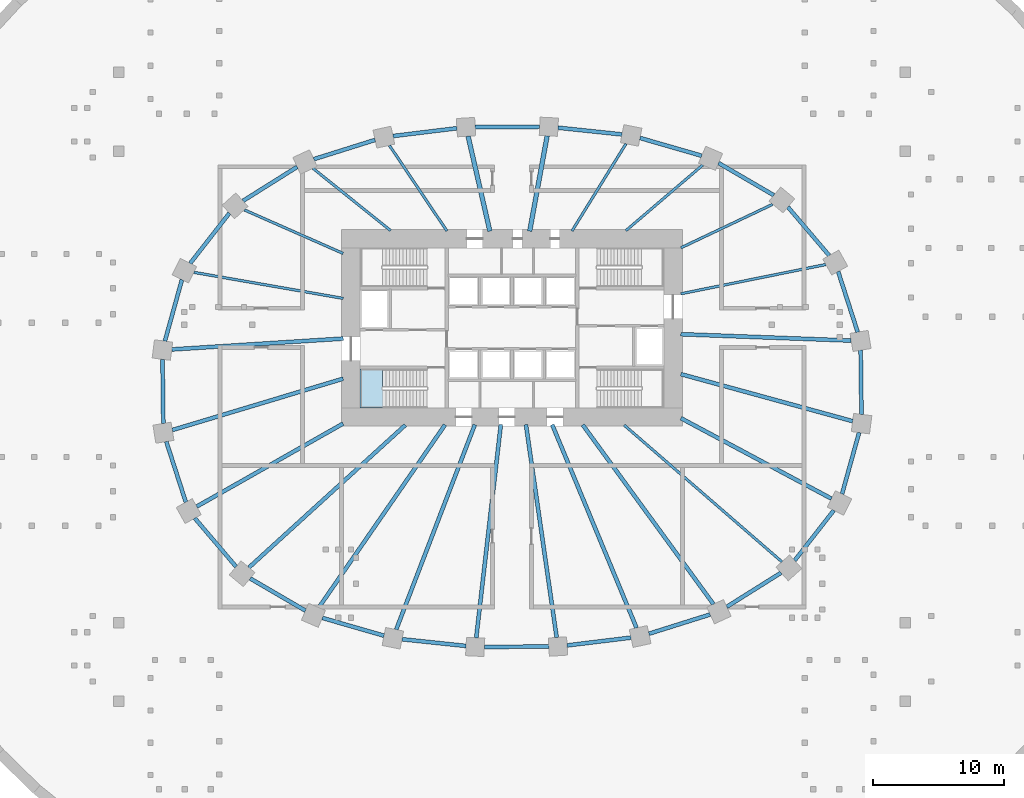
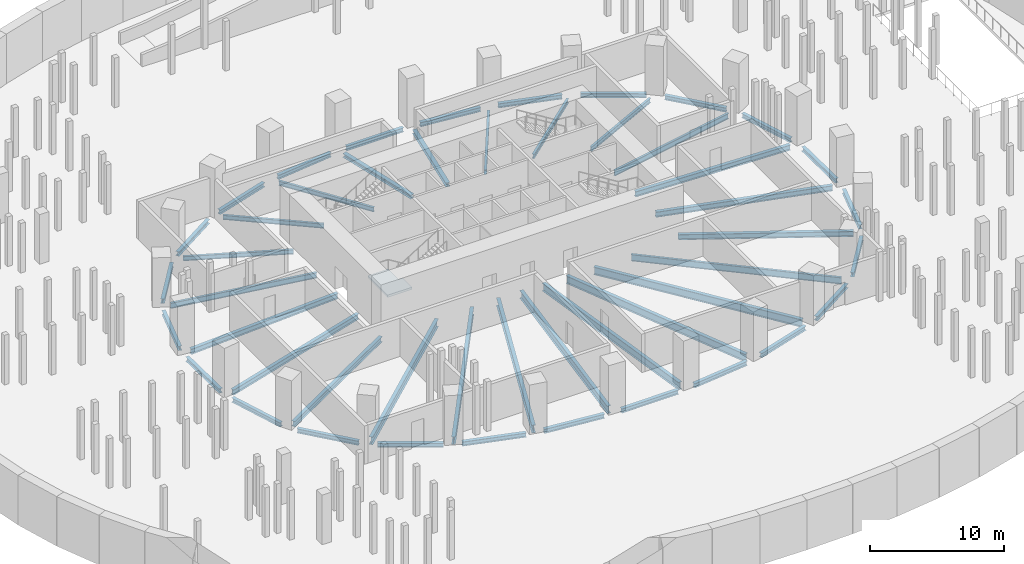
# One storey, part 2 of 9: 48 beams, 1 slab, 1 element without a shape of its own.
"""IFC4 building model written with IfcOpenShell, lengths in metres."""

from ifc_helpers import new_model, si_unit, direction, frame, origin, origin_2d, place, context, subcontext, project, spatial, polyline, i_section, outline, extrude, material, layer, layer_set, material_profile, profile_set, type_object, element, aggregate, save


model = new_model("IFC4")

# Units and contexts
model_context = context("Model", 3, precision=1e-05, world=origin(), true_north=direction((0.0, 1.0)))
body_context = subcontext(model_context, "Body", "Model", "MODEL_VIEW")
ifc_project = project(units=[si_unit("LENGTHUNIT", "METRE"), si_unit("AREAUNIT", "SQUARE_METRE"), si_unit("VOLUMEUNIT", "CUBIC_METRE"), si_unit("PLANEANGLEUNIT", "RADIAN"), si_unit("MASSUNIT", "GRAM", prefix="KILO")], contexts=[model_context])

# Site, building, storey
site_placement = place(None, origin())
site = spatial("IfcSite", under=ifc_project, at=site_placement, CompositionType="ELEMENT")
building_placement = place(site_placement, origin())
building = spatial("IfcBuilding", under=site, at=building_placement, Name="Rubra Terraces Tower", CompositionType="ELEMENT")
storey_placement = place(building_placement, frame((0.0, 0.0, -10.5)))
storey = spatial("IfcBuildingStorey", under=building, at=storey_placement, Name="B2", CompositionType="ELEMENT", Elevation=-10.5)

# Beams
ifc_material_1 = material(Name="Steel Q355B", Category="steel")
ifc_material_profile_1 = material_profile(ifc_material_1, i_section(OverallWidth=0.300048828125, OverallDepth=0.48193359375, WebThickness=0.010986328125, FlangeThickness=0.014892578125, at=origin_2d()), Name="HM 482x300x11x15")
ifc_profile_set_1 = profile_set([ifc_material_profile_1], Name="Steel Q355B")
beam_type_1 = type_object("IfcBeamType", Name="FLOOR BEAM HM 482x300x11x15", PredefinedType="BEAM", material=ifc_profile_set_1)
beam_1_placement = place(storey_placement, frame((25.89111328125, 3.530029296875, -0.490966796875), z_axis=(-0.999300088658, 0.037407657088, 0.0), x_axis=(-0.037407657088, -0.999300088658, 0.0)))
element("IfcBeam", 1, at=beam_1_placement, inside=storey, type_object=beam_type_1, Name="beam-B2-floor-01", PredefinedType="BEAM", context=body_context, shape_type="SweptSolid", body=[
    extrude(i_section(OverallWidth=0.300048828125, OverallDepth=0.48193359375, WebThickness=0.010986328125, FlangeThickness=0.014892578125, at=origin_2d()), origin(), (0.0, 0.0, 1.0), 13.020263671875),
])
beam_2_placement = place(storey_placement, frame((-25.971923828125, 2.85302734375, -0.490966796875), z_axis=(0.997996052936, 0.06327620662, 0.0), x_axis=(-0.06327620662, 0.997996052936, 0.0)))
element("IfcBeam", 2, at=beam_2_placement, inside=storey, type_object=beam_type_1, Name="beam-B2-floor-12", PredefinedType="BEAM", context=body_context, shape_type="SweptSolid", body=[
    extrude(i_section(OverallWidth=0.300048828125, OverallDepth=0.48193359375, WebThickness=0.010986328125, FlangeThickness=0.014892578125, at=origin_2d()), origin(), (0.0, 0.0, 1.0), 13.118408203125),
])
beam_3_placement = place(storey_placement, frame((-25.928955078125, -3.300048828125, -0.490966796875), z_axis=(0.957605991861, 0.288081176671, 0.0), x_axis=(-0.288081176671, 0.957605991861, 0.0)))
element("IfcBeam", 3, at=beam_3_placement, inside=storey, type_object=beam_type_1, Name="beam-B2-floor-13", PredefinedType="BEAM", context=body_context, shape_type="SweptSolid", body=[
    extrude(i_section(OverallWidth=0.300048828125, OverallDepth=0.48193359375, WebThickness=0.010986328125, FlangeThickness=0.014892578125, at=origin_2d()), origin(), (0.0, 0.0, 1.0), 13.621337890625),
])
beam_4_placement = place(storey_placement, frame((-24.06689453125, -9.137939453125, -0.490966796875), z_axis=(0.869992824144, 0.493064383157, 0.0), x_axis=(-0.493064383157, 0.869992824144, 0.0)))
element("IfcBeam", 4, at=beam_4_placement, inside=storey, type_object=beam_type_1, Name="beam-B2-floor-14", PredefinedType="BEAM", context=body_context, shape_type="SweptSolid", body=[
    extrude(i_section(OverallWidth=0.300048828125, OverallDepth=0.48193359375, WebThickness=0.010986328125, FlangeThickness=0.014892578125, at=origin_2d()), origin(), (0.0, 0.0, 1.0), 12.84033203125),
])
beam_5_placement = place(storey_placement, frame((24.385009765625, -8.535888671875, -0.490966796875), z_axis=(-0.881896613876, 0.471442851716, 0.0), x_axis=(-0.471442851716, -0.881896613876, 0.0)))
element("IfcBeam", 5, at=beam_5_placement, inside=storey, type_object=beam_type_1, Name="beam-B2-floor-23", PredefinedType="BEAM", context=body_context, shape_type="SweptSolid", body=[
    extrude(i_section(OverallWidth=0.300048828125, OverallDepth=0.48193359375, WebThickness=0.010986328125, FlangeThickness=0.014892578125, at=origin_2d()), origin(), (0.0, 0.0, 1.0), 13.02978515625),
])
beam_6_placement = place(storey_placement, frame((26.001953125, -2.62109375, -0.490966796875), z_axis=(-0.964494059772, 0.264104541167, 0.0), x_axis=(-0.264104541167, -0.964494059772, 0.0)))
element("IfcBeam", 6, at=beam_6_placement, inside=storey, type_object=beam_type_1, Name="beam-B2-floor-24", PredefinedType="BEAM", context=body_context, shape_type="SweptSolid", body=[
    extrude(i_section(OverallWidth=0.300048828125, OverallDepth=0.48193359375, WebThickness=0.010986328125, FlangeThickness=0.014892578125, at=origin_2d()), origin(), (0.0, 0.0, 1.0), 13.600830078125),
])
ifc_material_profile_2 = material_profile(ifc_material_1, i_section(OverallWidth=0.199951171875, OverallDepth=0.39990234375, WebThickness=0.008056640625, FlangeThickness=0.012939453125, at=origin_2d()), Name="HN 400x200x8x13")
ifc_profile_set_2 = profile_set([ifc_material_profile_2], Name="Steel Q355B")
beam_type_2 = type_object("IfcBeamType", Name="FLOOR BEAM HN 400x200x8x13", PredefinedType="BEAM", material=ifc_profile_set_2)
beam_7_placement = place(storey_placement, frame((19.904052734375, 13.93603515625, -0.449951171875), z_axis=(-0.903612237836, -0.428351402045, 0.0), x_axis=(0.428351402045, -0.903612237836, 0.0)))
element("IfcBeam", 7, at=beam_7_placement, inside=storey, type_object=beam_type_2, Name="beam-B2-floor-03", PredefinedType="BEAM", context=body_context, shape_type="SweptSolid", body=[
    extrude(i_section(OverallWidth=0.199951171875, OverallDepth=0.39990234375, WebThickness=0.008056640625, FlangeThickness=0.012939453125, at=origin_2d()), origin(), (0.0, 0.0, 1.0), 7.760009765625),
])
beam_8_placement = place(storey_placement, frame((14.56298828125, 16.93408203125, -0.449951171875), z_axis=(-0.760494401061, -0.649344489431, 0.0), x_axis=(0.649344489431, -0.760494401061, 0.0)))
element("IfcBeam", 8, at=beam_8_placement, inside=storey, type_object=beam_type_2, Name="beam-B2-floor-04", PredefinedType="BEAM", context=body_context, shape_type="SweptSolid", body=[
    extrude(i_section(OverallWidth=0.199951171875, OverallDepth=0.39990234375, WebThickness=0.008056640625, FlangeThickness=0.012939453125, at=origin_2d()), origin(), (0.0, 0.0, 1.0), 7.718505859375),
])
beam_9_placement = place(storey_placement, frame((8.699951171875, 18.555908203125, -0.449951171875), z_axis=(-0.526285914839, -0.850307671283, 0.0), x_axis=(0.850307671283, -0.526285914839, 0.0)))
element("IfcBeam", 9, at=beam_9_placement, inside=storey, type_object=beam_type_2, Name="beam-B2-floor-05", PredefinedType="BEAM", context=body_context, shape_type="SweptSolid", body=[
    extrude(i_section(OverallWidth=0.199951171875, OverallDepth=0.39990234375, WebThickness=0.008056640625, FlangeThickness=0.012939453125, at=origin_2d()), origin(), (0.0, 0.0, 1.0), 7.830078125),
])
beam_10_placement = place(storey_placement, frame((-9.360107421875, 18.43310546875, -0.449951171875), z_axis=(0.557574689395, -0.830126776912, 0.0), x_axis=(0.830126776912, 0.557574689395, 0.0)))
element("IfcBeam", 10, at=beam_10_placement, inside=storey, type_object=beam_type_2, Name="beam-B2-floor-08", PredefinedType="BEAM", context=body_context, shape_type="SweptSolid", body=[
    extrude(i_section(OverallWidth=0.199951171875, OverallDepth=0.39990234375, WebThickness=0.008056640625, FlangeThickness=0.012939453125, at=origin_2d()), origin(), (0.0, 0.0, 1.0), 7.8701171875),
])
beam_11_placement = place(storey_placement, frame((-15.18896484375, 16.676025390625, -0.449951171875), z_axis=(0.780266406942, -0.625447307291, 0.0), x_axis=(0.625447307291, 0.780266406942, 0.0)))
element("IfcBeam", 11, at=beam_11_placement, inside=storey, type_object=beam_type_2, Name="beam-B2-floor-09", PredefinedType="BEAM", context=body_context, shape_type="SweptSolid", body=[
    extrude(i_section(OverallWidth=0.199951171875, OverallDepth=0.39990234375, WebThickness=0.008056640625, FlangeThickness=0.012939453125, at=origin_2d()), origin(), (0.0, 0.0, 1.0), 7.59619140625),
])
beam_12_placement = place(storey_placement, frame((-20.43310546875, 13.508056640625, -0.449951171875), z_axis=(0.914994662209, -0.4034659442, 0.0), x_axis=(0.4034659442, 0.914994662209, 0.0)))
element("IfcBeam", 12, at=beam_12_placement, inside=storey, type_object=beam_type_2, Name="beam-B2-floor-10", PredefinedType="BEAM", context=body_context, shape_type="SweptSolid", body=[
    extrude(i_section(OverallWidth=0.199951171875, OverallDepth=0.39990234375, WebThickness=0.008056640625, FlangeThickness=0.012939453125, at=origin_2d()), origin(), (0.0, 0.0, 1.0), 8.243896484375),
])
ifc_material_profile_3 = material_profile(ifc_material_1, i_section(OverallWidth=0.198974609375, OverallDepth=0.49609375, WebThickness=0.009033203125, FlangeThickness=0.013916015625, at=origin_2d()), Name="HN 496x199x9x14")
ifc_profile_set_3 = profile_set([ifc_material_profile_3], Name="Steel Q355B")
beam_type_3 = type_object("IfcBeamType", Name="FLOOR BEAM HN 496x199x9x14", PredefinedType="BEAM", material=ifc_profile_set_3)
beam_13_placement = place(storey_placement, frame((23.9560546875, 9.337890625, -0.498046875), z_axis=(-0.980204035637, -0.197990021264, 0.0), x_axis=(0.197990021264, -0.980204035637, 0.0)))
element("IfcBeam", 13, at=beam_13_placement, inside=storey, type_object=beam_type_3, Name="beam-B2-floor-02", PredefinedType="BEAM", context=body_context, shape_type="SweptSolid", body=[
    extrude(i_section(OverallWidth=0.198974609375, OverallDepth=0.49609375, WebThickness=0.009033203125, FlangeThickness=0.013916015625, at=origin_2d()), origin(), (0.0, 0.0, 1.0), 11.297607421875),
])
beam_14_placement = place(storey_placement, frame((-24.282958984375, 8.739990234375, -0.498046875), z_axis=(0.985091834527, -0.172029292701, 0.0), x_axis=(0.172029292701, 0.985091834527, 0.0)))
element("IfcBeam", 14, at=beam_14_placement, inside=storey, type_object=beam_type_3, Name="beam-B2-floor-11", PredefinedType="BEAM", context=body_context, shape_type="SweptSolid", body=[
    extrude(i_section(OverallWidth=0.198974609375, OverallDepth=0.49609375, WebThickness=0.009033203125, FlangeThickness=0.013916015625, at=origin_2d()), origin(), (0.0, 0.0, 1.0), 11.573486328125),
])
ifc_material_profile_4 = material_profile(ifc_material_1, i_section(OverallWidth=0.198974609375, OverallDepth=0.595947265625, WebThickness=0.010009765625, FlangeThickness=0.014892578125, at=origin_2d()), Name="HN 596x199x10x15")
ifc_profile_set_4 = profile_set([ifc_material_profile_4], Name="Steel Q355B")
beam_type_4 = type_object("IfcBeamType", Name="FLOOR BEAM HN 596x199x10x15", PredefinedType="BEAM", material=ifc_profile_set_4)
beam_15_placement = place(storey_placement, frame((20.60205078125, -13.35498046875, -0.548095703125), z_axis=(-0.755682003913, 0.654938706263, 0.0), x_axis=(-0.654938706263, -0.755682003913, 0.0)))
element("IfcBeam", 15, at=beam_15_placement, inside=storey, type_object=beam_type_4, Name="beam-B2-floor-22", PredefinedType="BEAM", context=body_context, shape_type="SweptSolid", body=[
    extrude(i_section(OverallWidth=0.198974609375, OverallDepth=0.595947265625, WebThickness=0.010009765625, FlangeThickness=0.014892578125, at=origin_2d()), origin(), (0.0, 0.0, 1.0), 15.931396484375),
])
ifc_material_profile_5 = material_profile(ifc_material_1, i_section(OverallWidth=0.300048828125, OverallDepth=0.699951171875, WebThickness=0.012939453125, FlangeThickness=0.02392578125, at=origin_2d()), Name="HN 700x300x13x24")
ifc_profile_set_5 = profile_set([ifc_material_profile_5], Name="Steel Q355B")
beam_type_5 = type_object("IfcBeamType", Name="FLOOR BEAM HN 700x300x13x24", PredefinedType="BEAM", material=ifc_profile_set_5)
beam_16_placement = place(storey_placement, frame((-20.077880859375, -13.7900390625, -0.60009765625), z_axis=(0.739256734846, 0.673423700195, 0.0), x_axis=(-0.673423700195, 0.739256734846, 0.0)))
element("IfcBeam", 16, at=beam_16_placement, inside=storey, type_object=beam_type_5, Name="beam-B2-floor-15", PredefinedType="BEAM", context=body_context, shape_type="SweptSolid", body=[
    extrude(i_section(OverallWidth=0.300048828125, OverallDepth=0.699951171875, WebThickness=0.012939453125, FlangeThickness=0.02392578125, at=origin_2d()), origin(), (0.0, 0.0, 1.0), 16.14306640625),
])
beam_17_placement = place(storey_placement, frame((-14.7509765625, -16.85302734375, -0.60009765625), z_axis=(0.568362941886, 0.822777956858, 0.0), x_axis=(-0.822777956858, 0.568362941886, 0.0)))
element("IfcBeam", 17, at=beam_17_placement, inside=storey, type_object=beam_type_5, Name="beam-B2-floor-16", PredefinedType="BEAM", context=body_context, shape_type="SweptSolid", body=[
    extrude(i_section(OverallWidth=0.300048828125, OverallDepth=0.699951171875, WebThickness=0.012939453125, FlangeThickness=0.02392578125, at=origin_2d()), origin(), (0.0, 0.0, 1.0), 16.957275390625),
])
beam_18_placement = place(storey_placement, frame((-8.839111328125, -18.529052734375, -0.60009765625), z_axis=(0.358321803184, 0.933598139117, 0.0), x_axis=(-0.933598139117, 0.358321803184, 0.0)))
element("IfcBeam", 18, at=beam_18_placement, inside=storey, type_object=beam_type_5, Name="beam-B2-floor-17", PredefinedType="BEAM", context=body_context, shape_type="SweptSolid", body=[
    extrude(i_section(OverallWidth=0.300048828125, OverallDepth=0.699951171875, WebThickness=0.012939453125, FlangeThickness=0.02392578125, at=origin_2d()), origin(), (0.0, 0.0, 1.0), 16.753662109375),
])
beam_19_placement = place(storey_placement, frame((-2.73095703125, -19.156982421875, -0.60009765625), z_axis=(0.114679535872, 0.993402538779, 0.0), x_axis=(-0.993402538779, 0.114679535872, 0.0)))
element("IfcBeam", 19, at=beam_19_placement, inside=storey, type_object=beam_type_5, Name="beam-B2-floor-18", PredefinedType="BEAM", context=body_context, shape_type="SweptSolid", body=[
    extrude(i_section(OverallWidth=0.300048828125, OverallDepth=0.699951171875, WebThickness=0.012939453125, FlangeThickness=0.02392578125, at=origin_2d()), origin(), (0.0, 0.0, 1.0), 16.384033203125),
])
beam_20_placement = place(storey_placement, frame((3.408935546875, -19.12890625, -0.60009765625), z_axis=(-0.142787075711, 0.9897534294, 0.0), x_axis=(-0.9897534294, -0.142787075711, 0.0)))
element("IfcBeam", 20, at=beam_20_placement, inside=storey, type_object=beam_type_5, Name="beam-B2-floor-19", PredefinedType="BEAM", context=body_context, shape_type="SweptSolid", body=[
    extrude(i_section(OverallWidth=0.300048828125, OverallDepth=0.699951171875, WebThickness=0.012939453125, FlangeThickness=0.02392578125, at=origin_2d()), origin(), (0.0, 0.0, 1.0), 16.416015625),
])
beam_21_placement = place(storey_placement, frame((9.507080078125, -18.40087890625, -0.60009765625), z_axis=(-0.383379543301, 0.923590886582, 0.0), x_axis=(-0.923590886582, -0.383379543301, 0.0)))
element("IfcBeam", 21, at=beam_21_placement, inside=storey, type_object=beam_type_5, Name="beam-B2-floor-20", PredefinedType="BEAM", context=body_context, shape_type="SweptSolid", body=[
    extrude(i_section(OverallWidth=0.300048828125, OverallDepth=0.699951171875, WebThickness=0.012939453125, FlangeThickness=0.02392578125, at=origin_2d()), origin(), (0.0, 0.0, 1.0), 16.795166015625),
])
beam_22_placement = place(storey_placement, frame((15.3779296875, -16.587890625, -0.60009765625), z_axis=(-0.58919117553, 0.807993662523, 0.0), x_axis=(-0.807993662523, -0.58919117553, 0.0)))
element("IfcBeam", 22, at=beam_22_placement, inside=storey, type_object=beam_type_5, Name="beam-B2-floor-21", PredefinedType="BEAM", context=body_context, shape_type="SweptSolid", body=[
    extrude(i_section(OverallWidth=0.300048828125, OverallDepth=0.699951171875, WebThickness=0.012939453125, FlangeThickness=0.02392578125, at=origin_2d()), origin(), (0.0, 0.0, 1.0), 16.936767578125),
])
ifc_material_profile_6 = material_profile(ifc_material_1, i_section(OverallWidth=0.35009765625, OverallDepth=0.35009765625, WebThickness=0.011962890625, FlangeThickness=0.01904296875, at=origin_2d()), Name="HW 350x350x12x19")
ifc_profile_set_6 = profile_set([ifc_material_profile_6], Name="Steel Q355B")
beam_type_6 = type_object("IfcBeamType", Name="FLOOR BEAM HW 350x350x12x19", PredefinedType="BEAM", material=ifc_profile_set_6)
beam_23_placement = place(storey_placement, frame((2.68408203125, 19.158935546875, -0.425048828125), z_axis=(-0.180186319425, -0.983632497578, 0.0), x_axis=(0.983632497578, -0.180186319425, 0.0)))
element("IfcBeam", 23, at=beam_23_placement, inside=storey, type_object=beam_type_6, Name="beam-B2-floor-06", PredefinedType="BEAM", context=body_context, shape_type="SweptSolid", body=[
    extrude(i_section(OverallWidth=0.35009765625, OverallDepth=0.35009765625, WebThickness=0.011962890625, FlangeThickness=0.01904296875, at=origin_2d()), origin(), (0.0, 0.0, 1.0), 7.39794921875),
])
beam_24_placement = place(storey_placement, frame((-3.35107421875, 19.133056640625, -0.425048828125), z_axis=(0.223209821828, -0.974770421914, 0.0), x_axis=(0.974770421914, 0.223209821828, 0.0)))
element("IfcBeam", 24, at=beam_24_placement, inside=storey, type_object=beam_type_6, Name="beam-B2-floor-07", PredefinedType="BEAM", context=body_context, shape_type="SweptSolid", body=[
    extrude(i_section(OverallWidth=0.35009765625, OverallDepth=0.35009765625, WebThickness=0.011962890625, FlangeThickness=0.01904296875, at=origin_2d()), origin(), (0.0, 0.0, 1.0), 7.437744140625),
])
ifc_material_profile_7 = material_profile(ifc_material_1, i_section(OverallWidth=0.300048828125, OverallDepth=0.389892578125, WebThickness=0.010009765625, FlangeThickness=0.01611328125, at=origin_2d()), Name="HM 390x300x10x16")
ifc_profile_set_7 = profile_set([ifc_material_profile_7], Name="Steel Q355B")
beam_type_7 = type_object("IfcBeamType", Name="SPANDREL BEAM HM 390x300x10x16", PredefinedType="SPANDREL", material=ifc_profile_set_7)
beam_25_placement = place(storey_placement, frame((26.387939453125, 4.177001953125, -0.445068359375), z_axis=(-0.30706880261, 0.951687317591, 0.0), x_axis=(-0.951687317591, -0.30706880261, 0.0)))
element("IfcBeam", 25, at=beam_25_placement, inside=storey, type_object=beam_type_7, Name="beam-B2-spandrel-01", PredefinedType="SPANDREL", context=body_context, shape_type="SweptSolid", body=[
    extrude(i_section(OverallWidth=0.300048828125, OverallDepth=0.389892578125, WebThickness=0.010009765625, FlangeThickness=0.01611328125, at=origin_2d()), origin(), (0.0, 0.0, 1.0), 4.86181640625),
])
beam_26_placement = place(storey_placement, frame((24.212890625, 10.02587890625, -0.445068359375), z_axis=(-0.648447050824, 0.761259760054, 0.0), x_axis=(-0.761259760054, -0.648447050824, 0.0)))
element("IfcBeam", 26, at=beam_26_placement, inside=storey, type_object=beam_type_7, Name="beam-B2-spandrel-02", PredefinedType="SPANDREL", context=body_context, shape_type="SweptSolid", body=[
    extrude(i_section(OverallWidth=0.300048828125, OverallDepth=0.389892578125, WebThickness=0.010009765625, FlangeThickness=0.01611328125, at=origin_2d()), origin(), (0.0, 0.0, 1.0), 4.860595703125),
])
beam_27_placement = place(storey_placement, frame((19.987060546875, 14.6240234375, -0.445068359375), z_axis=(-0.863806081452, 0.503824427402, 0.0), x_axis=(-0.503824427402, -0.863806081452, 0.0)))
element("IfcBeam", 27, at=beam_27_placement, inside=storey, type_object=beam_type_7, Name="beam-B2-spandrel-03", PredefinedType="SPANDREL", context=body_context, shape_type="SweptSolid", body=[
    extrude(i_section(OverallWidth=0.300048828125, OverallDepth=0.389892578125, WebThickness=0.010009765625, FlangeThickness=0.01611328125, at=origin_2d()), origin(), (0.0, 0.0, 1.0), 4.886474609375),
])
beam_28_placement = place(storey_placement, frame((14.47900390625, 17.636962890625, -0.445068359375), z_axis=(-0.960743980202, 0.277436487337, 0.0), x_axis=(-0.277436487337, -0.960743980202, 0.0)))
element("IfcBeam", 28, at=beam_28_placement, inside=storey, type_object=beam_type_7, Name="beam-B2-spandrel-04", PredefinedType="SPANDREL", context=body_context, shape_type="SweptSolid", body=[
    extrude(i_section(OverallWidth=0.300048828125, OverallDepth=0.389892578125, WebThickness=0.010009765625, FlangeThickness=0.01611328125, at=origin_2d()), origin(), (0.0, 0.0, 1.0), 4.90234375),
])
beam_29_placement = place(storey_placement, frame((8.39501953125, 19.26611328125, -0.445068359375), z_axis=(-0.994495375694, 0.104780473964, 0.0), x_axis=(-0.104780473964, -0.994495375694, 0.0)))
element("IfcBeam", 29, at=beam_29_placement, inside=storey, type_object=beam_type_7, Name="beam-B2-spandrel-05", PredefinedType="SPANDREL", context=body_context, shape_type="SweptSolid", body=[
    extrude(i_section(OverallWidth=0.300048828125, OverallDepth=0.389892578125, WebThickness=0.010009765625, FlangeThickness=0.01611328125, at=origin_2d()), origin(), (0.0, 0.0, 1.0), 4.9140625),
])
beam_30_placement = place(storey_placement, frame((2.110107421875, 19.85107421875, -0.445068359375), z_axis=(-0.999987924698, -0.004914311469, 0.0), x_axis=(0.004914311469, -0.999987924698, 0.0)))
element("IfcBeam", 30, at=beam_30_placement, inside=storey, type_object=beam_type_7, Name="beam-B2-spandrel-06", PredefinedType="SPANDREL", context=body_context, shape_type="SweptSolid", body=[
    extrude(i_section(OverallWidth=0.300048828125, OverallDepth=0.389892578125, WebThickness=0.010009765625, FlangeThickness=0.01611328125, at=origin_2d()), origin(), (0.0, 0.0, 1.0), 4.918212890625),
])
beam_31_placement = place(storey_placement, frame((-4.205078125, 19.739013671875, -0.445068359375), z_axis=(-0.992616576014, -0.12129440639, 0.0), x_axis=(0.12129440639, -0.992616576014, 0.0)))
element("IfcBeam", 31, at=beam_31_placement, inside=storey, type_object=beam_type_7, Name="beam-B2-spandrel-07", PredefinedType="SPANDREL", context=body_context, shape_type="SweptSolid", body=[
    extrude(i_section(OverallWidth=0.300048828125, OverallDepth=0.389892578125, WebThickness=0.010009765625, FlangeThickness=0.01611328125, at=origin_2d()), origin(), (0.0, 0.0, 1.0), 4.913330078125),
])
beam_32_placement = place(storey_placement, frame((-10.450927734375, 18.846923828125, -0.445068359375), z_axis=(-0.953954624663, -0.299950952796, 0.0), x_axis=(0.299950952796, -0.953954624663, 0.0)))
element("IfcBeam", 32, at=beam_32_placement, inside=storey, type_object=beam_type_7, Name="beam-B2-spandrel-08", PredefinedType="SPANDREL", context=body_context, shape_type="SweptSolid", body=[
    extrude(i_section(OverallWidth=0.300048828125, OverallDepth=0.389892578125, WebThickness=0.010009765625, FlangeThickness=0.01611328125, at=origin_2d()), origin(), (0.0, 0.0, 1.0), 4.900634765625),
])
beam_33_placement = place(storey_placement, frame((-16.39697265625, 16.7900390625, -0.445068359375), z_axis=(-0.847078460197, -0.531467856291, 0.0), x_axis=(0.531467856291, -0.847078460197, 0.0)))
element("IfcBeam", 33, at=beam_33_placement, inside=storey, type_object=beam_type_7, Name="beam-B2-spandrel-09", PredefinedType="SPANDREL", context=body_context, shape_type="SweptSolid", body=[
    extrude(i_section(OverallWidth=0.300048828125, OverallDepth=0.389892578125, WebThickness=0.010009765625, FlangeThickness=0.01611328125, at=origin_2d()), origin(), (0.0, 0.0, 1.0), 4.882568359375),
])
beam_34_placement = place(storey_placement, frame((-21.572998046875, 13.257080078125, -0.445068359375), z_axis=(-0.615577734286, -0.788076172112, 0.0), x_axis=(0.788076172112, -0.615577734286, 0.0)))
element("IfcBeam", 34, at=beam_34_placement, inside=storey, type_object=beam_type_7, Name="beam-B2-spandrel-10", PredefinedType="SPANDREL", context=body_context, shape_type="SweptSolid", body=[
    extrude(i_section(OverallWidth=0.300048828125, OverallDepth=0.389892578125, WebThickness=0.010009765625, FlangeThickness=0.01611328125, at=origin_2d()), origin(), (0.0, 0.0, 1.0), 4.85888671875),
])
beam_35_placement = place(storey_placement, frame((-25.194091796875, 8.177978515625, -0.445068359375), z_axis=(-0.267364386726, -0.96359549849, 0.0), x_axis=(0.96359549849, -0.267364386726, 0.0)))
element("IfcBeam", 35, at=beam_35_placement, inside=storey, type_object=beam_type_7, Name="beam-B2-spandrel-11", PredefinedType="SPANDREL", context=body_context, shape_type="SweptSolid", body=[
    extrude(i_section(OverallWidth=0.300048828125, OverallDepth=0.389892578125, WebThickness=0.010009765625, FlangeThickness=0.01611328125, at=origin_2d()), origin(), (0.0, 0.0, 1.0), 4.8662109375),
])
beam_36_placement = place(storey_placement, frame((-26.675048828125, 2.10107421875, -0.445068359375), z_axis=(0.012465372298, -0.999922304228, 0.0), x_axis=(0.999922304228, 0.012465372298, 0.0)))
element("IfcBeam", 36, at=beam_36_placement, inside=storey, type_object=beam_type_7, Name="beam-B2-spandrel-12", PredefinedType="SPANDREL", context=body_context, shape_type="SweptSolid", body=[
    extrude(i_section(OverallWidth=0.300048828125, OverallDepth=0.389892578125, WebThickness=0.010009765625, FlangeThickness=0.01611328125, at=origin_2d()), origin(), (0.0, 0.0, 1.0), 4.896484375),
])
beam_37_placement = place(storey_placement, frame((-26.387939453125, -4.177001953125, -0.445068359375), z_axis=(0.30706880261, -0.951687317591, 0.0), x_axis=(0.951687317591, 0.30706880261, 0.0)))
element("IfcBeam", 37, at=beam_37_placement, inside=storey, type_object=beam_type_7, Name="beam-B2-spandrel-13", PredefinedType="SPANDREL", context=body_context, shape_type="SweptSolid", body=[
    extrude(i_section(OverallWidth=0.300048828125, OverallDepth=0.389892578125, WebThickness=0.010009765625, FlangeThickness=0.01611328125, at=origin_2d()), origin(), (0.0, 0.0, 1.0), 4.86181640625),
])
beam_38_placement = place(storey_placement, frame((-24.212890625, -10.02587890625, -0.445068359375), z_axis=(0.648447050824, -0.761259760054, 0.0), x_axis=(0.761259760054, 0.648447050824, 0.0)))
element("IfcBeam", 38, at=beam_38_placement, inside=storey, type_object=beam_type_7, Name="beam-B2-spandrel-14", PredefinedType="SPANDREL", context=body_context, shape_type="SweptSolid", body=[
    extrude(i_section(OverallWidth=0.300048828125, OverallDepth=0.389892578125, WebThickness=0.010009765625, FlangeThickness=0.01611328125, at=origin_2d()), origin(), (0.0, 0.0, 1.0), 4.860595703125),
])
beam_39_placement = place(storey_placement, frame((-19.987060546875, -14.6240234375, -0.445068359375), z_axis=(0.863806081452, -0.503824427402, 0.0), x_axis=(0.503824427402, 0.863806081452, 0.0)))
element("IfcBeam", 39, at=beam_39_placement, inside=storey, type_object=beam_type_7, Name="beam-B2-spandrel-15", PredefinedType="SPANDREL", context=body_context, shape_type="SweptSolid", body=[
    extrude(i_section(OverallWidth=0.300048828125, OverallDepth=0.389892578125, WebThickness=0.010009765625, FlangeThickness=0.01611328125, at=origin_2d()), origin(), (0.0, 0.0, 1.0), 4.886474609375),
])
beam_40_placement = place(storey_placement, frame((-14.47900390625, -17.636962890625, -0.445068359375), z_axis=(0.960743980202, -0.277436487337, 0.0), x_axis=(0.277436487337, 0.960743980202, 0.0)))
element("IfcBeam", 40, at=beam_40_placement, inside=storey, type_object=beam_type_7, Name="beam-B2-spandrel-16", PredefinedType="SPANDREL", context=body_context, shape_type="SweptSolid", body=[
    extrude(i_section(OverallWidth=0.300048828125, OverallDepth=0.389892578125, WebThickness=0.010009765625, FlangeThickness=0.01611328125, at=origin_2d()), origin(), (0.0, 0.0, 1.0), 4.90234375),
])
beam_41_placement = place(storey_placement, frame((-8.39501953125, -19.26611328125, -0.445068359375), z_axis=(0.994495375694, -0.104780473964, 0.0), x_axis=(0.104780473964, 0.994495375694, 0.0)))
element("IfcBeam", 41, at=beam_41_placement, inside=storey, type_object=beam_type_7, Name="beam-B2-spandrel-17", PredefinedType="SPANDREL", context=body_context, shape_type="SweptSolid", body=[
    extrude(i_section(OverallWidth=0.300048828125, OverallDepth=0.389892578125, WebThickness=0.010009765625, FlangeThickness=0.01611328125, at=origin_2d()), origin(), (0.0, 0.0, 1.0), 4.9140625),
])
beam_42_placement = place(storey_placement, frame((-2.110107421875, -19.85107421875, -0.445068359375), z_axis=(0.999987924698, 0.004914311469, 0.0), x_axis=(-0.004914311469, 0.999987924698, 0.0)))
element("IfcBeam", 42, at=beam_42_placement, inside=storey, type_object=beam_type_7, Name="beam-B2-spandrel-18", PredefinedType="SPANDREL", context=body_context, shape_type="SweptSolid", body=[
    extrude(i_section(OverallWidth=0.300048828125, OverallDepth=0.389892578125, WebThickness=0.010009765625, FlangeThickness=0.01611328125, at=origin_2d()), origin(), (0.0, 0.0, 1.0), 4.918212890625),
])
beam_43_placement = place(storey_placement, frame((4.205078125, -19.739013671875, -0.445068359375), z_axis=(0.992616576014, 0.12129440639, 0.0), x_axis=(-0.12129440639, 0.992616576014, 0.0)))
element("IfcBeam", 43, at=beam_43_placement, inside=storey, type_object=beam_type_7, Name="beam-B2-spandrel-19", PredefinedType="SPANDREL", context=body_context, shape_type="SweptSolid", body=[
    extrude(i_section(OverallWidth=0.300048828125, OverallDepth=0.389892578125, WebThickness=0.010009765625, FlangeThickness=0.01611328125, at=origin_2d()), origin(), (0.0, 0.0, 1.0), 4.913330078125),
])
beam_44_placement = place(storey_placement, frame((10.450927734375, -18.846923828125, -0.445068359375), z_axis=(0.953954624663, 0.299950952796, 0.0), x_axis=(-0.299950952796, 0.953954624663, 0.0)))
element("IfcBeam", 44, at=beam_44_placement, inside=storey, type_object=beam_type_7, Name="beam-B2-spandrel-20", PredefinedType="SPANDREL", context=body_context, shape_type="SweptSolid", body=[
    extrude(i_section(OverallWidth=0.300048828125, OverallDepth=0.389892578125, WebThickness=0.010009765625, FlangeThickness=0.01611328125, at=origin_2d()), origin(), (0.0, 0.0, 1.0), 4.900634765625),
])
beam_45_placement = place(storey_placement, frame((16.39697265625, -16.7900390625, -0.445068359375), z_axis=(0.847078460197, 0.531467856291, 0.0), x_axis=(-0.531467856291, 0.847078460197, 0.0)))
element("IfcBeam", 45, at=beam_45_placement, inside=storey, type_object=beam_type_7, Name="beam-B2-spandrel-21", PredefinedType="SPANDREL", context=body_context, shape_type="SweptSolid", body=[
    extrude(i_section(OverallWidth=0.300048828125, OverallDepth=0.389892578125, WebThickness=0.010009765625, FlangeThickness=0.01611328125, at=origin_2d()), origin(), (0.0, 0.0, 1.0), 4.882568359375),
])
beam_46_placement = place(storey_placement, frame((21.572998046875, -13.257080078125, -0.445068359375), z_axis=(0.615577734286, 0.788076172112, 0.0), x_axis=(-0.788076172112, 0.615577734286, 0.0)))
element("IfcBeam", 46, at=beam_46_placement, inside=storey, type_object=beam_type_7, Name="beam-B2-spandrel-22", PredefinedType="SPANDREL", context=body_context, shape_type="SweptSolid", body=[
    extrude(i_section(OverallWidth=0.300048828125, OverallDepth=0.389892578125, WebThickness=0.010009765625, FlangeThickness=0.01611328125, at=origin_2d()), origin(), (0.0, 0.0, 1.0), 4.85888671875),
])
beam_47_placement = place(storey_placement, frame((25.194091796875, -8.177978515625, -0.445068359375), z_axis=(0.267364386726, 0.96359549849, 0.0), x_axis=(-0.96359549849, 0.267364386726, 0.0)))
element("IfcBeam", 47, at=beam_47_placement, inside=storey, type_object=beam_type_7, Name="beam-B2-spandrel-23", PredefinedType="SPANDREL", context=body_context, shape_type="SweptSolid", body=[
    extrude(i_section(OverallWidth=0.300048828125, OverallDepth=0.389892578125, WebThickness=0.010009765625, FlangeThickness=0.01611328125, at=origin_2d()), origin(), (0.0, 0.0, 1.0), 4.8662109375),
])
beam_48_placement = place(storey_placement, frame((26.675048828125, -2.10107421875, -0.445068359375), z_axis=(-0.012465372298, 0.999922304228, 0.0), x_axis=(-0.999922304228, -0.012465372298, 0.0)))
element("IfcBeam", 48, at=beam_48_placement, inside=storey, type_object=beam_type_7, Name="beam-B2-spandrel-24", PredefinedType="SPANDREL", context=body_context, shape_type="SweptSolid", body=[
    extrude(i_section(OverallWidth=0.300048828125, OverallDepth=0.389892578125, WebThickness=0.010009765625, FlangeThickness=0.01611328125, at=origin_2d()), origin(), (0.0, 0.0, 1.0), 4.896484375),
])

# Stair, slab
ifc_material_2 = material(Name="Concrete C40", Category="concrete")
stair_type = type_object("IfcStairType", Name="Core stair 1400", PredefinedType="HALF_TURN_STAIR", material=ifc_material_2)
stair_placement = place(storey_placement, origin())
stair = element("IfcStair", 49, at=stair_placement, inside=storey, type_object=stair_type, Name="B2 Exit stair S1", PredefinedType="HALF_TURN_STAIR")
ifc_layer = layer(ifc_material_2, 0.199951171875)
ifc_layer_set = layer_set([ifc_layer], Name="Concrete C40")
slab_type = type_object("IfcSlabType", Name="Core stair landing 200", PredefinedType="LANDING", material=ifc_layer_set)
slab_placement = place(storey_placement, frame((0.0, 0.0, 2.050048828125)))
slab = element("IfcSlab", 50, at=slab_placement, type_object=slab_type, Name="S1 landing 1", PredefinedType="LANDING", context=body_context, shape_type="SweptSolid", body=[
    extrude(outline(polyline([(-9.5, -0.199951171875), (-9.5, -1.60009765625), (-9.8798828125, -1.60009765625), (-9.89990234375, -1.60009765625), (-11.60009765625, -1.60009765625), (-11.60009765625, 1.35009765625), (-9.89990234375, 1.35009765625), (-9.8779296875, 1.35009765625), (-9.8779296875, -0.050048828125), (-9.8798828125, -0.050048828125), (-9.8798828125, -0.199951171875), (-9.5, -0.199951171875)])), origin(), (0.0, 0.0, 1.0), 0.199951171875),
])
aggregate(stair, [slab])

save(model, "model.ifc")
